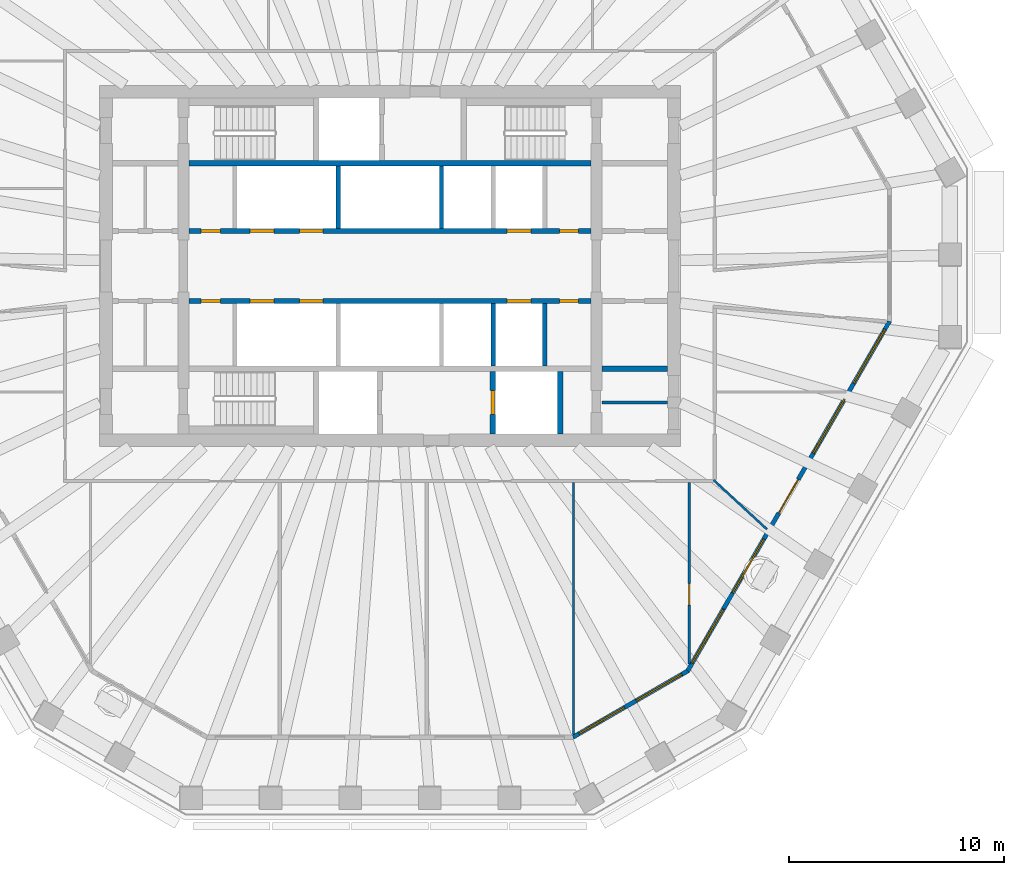
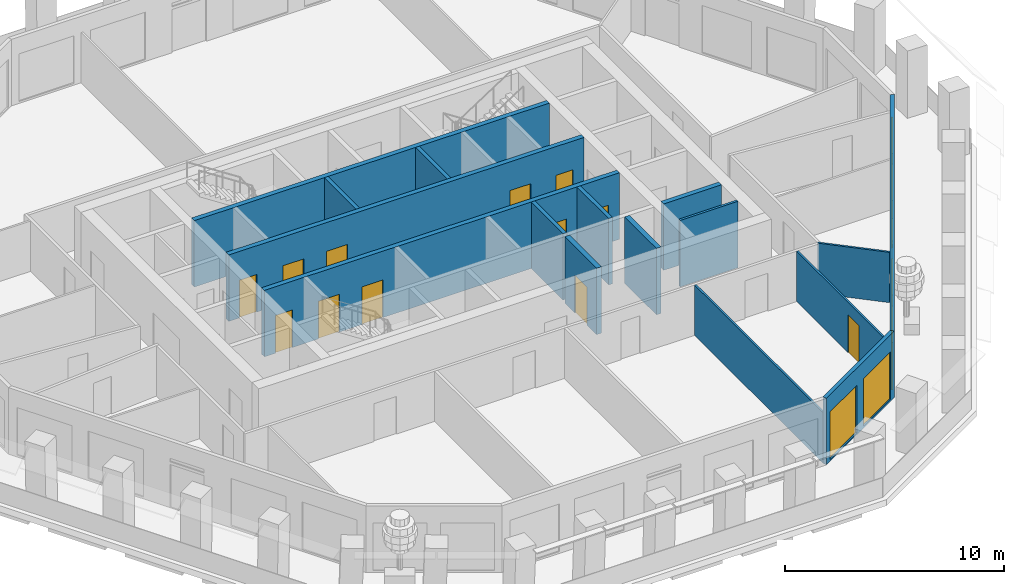
# One storey, part 5 of 12: 16 walls, 13 doors, 7 windows, 20 openings.
"""IFC4 building model written with IfcOpenShell, lengths in metres."""

from ifc_helpers import new_model, si_unit, direction, frame, frame_2d, origin, place, context, subcontext, project, spatial, polyline, rectangle, outline, extrude, material, layer, layer_set, type_object, element, fill, save


model = new_model("IFC4")

# Units and contexts
model_context = context("Model", 3, precision=1e-05, world=origin(), true_north=direction((0.0, 1.0)))
body_context = subcontext(model_context, "Body", "Model", "MODEL_VIEW")
ifc_project = project(units=[si_unit("LENGTHUNIT", "METRE"), si_unit("AREAUNIT", "SQUARE_METRE"), si_unit("VOLUMEUNIT", "CUBIC_METRE"), si_unit("PLANEANGLEUNIT", "RADIAN"), si_unit("MASSUNIT", "GRAM", prefix="KILO")], contexts=[model_context])

# Site, building, storey
site_placement = place(None, origin())
site = spatial("IfcSite", under=ifc_project, at=site_placement, CompositionType="ELEMENT")
building_placement = place(site_placement, origin())
building = spatial("IfcBuilding", under=site, at=building_placement, Name="Frailejon Research Tower", CompositionType="ELEMENT")
storey_placement = place(building_placement, frame((0.0, 0.0, 227.39990234375)))
storey = spatial("IfcBuildingStorey", under=building, at=storey_placement, Name="L49", CompositionType="ELEMENT", Elevation=227.39990234375)

# Walls
ifc_material_1 = material(Name="Plasterboard on steel studs", Category="steel")
ifc_layer_1 = layer(ifc_material_1, 0.125)
ifc_layer_set_1 = layer_set([ifc_layer_1], Name="Core partition 125")
wall_type_1 = type_object("IfcWallType", Name="Core partition 125", PredefinedType="PARTITIONING", material=ifc_layer_set_1)
wall_1_placement = place(storey_placement, frame((9.85009765625, -6.35009765625, 0.0), z_axis=(0.0, 0.0, 1.0), x_axis=(1.0, 0.0, 0.0)))
element("IfcWall", 1, at=wall_1_placement, inside=storey, type_object=wall_type_1, Name="Core partition", PredefinedType="PARTITIONING", context=body_context, shape_type="SweptSolid", body=[
    extrude(rectangle(XDim=3.0498046875, YDim=0.125, at=frame_2d((1.52490234375, 0.0))), origin(), (0.0, 0.0, 1.0), 3.7001953125),
])
ifc_material_2 = material(Name="Gypsum board and masonry partition", Category="masonry")
ifc_layer_2 = layer(ifc_material_2, 0.10009765625)
ifc_layer_set_2 = layer_set([ifc_layer_2], Name="Partition, gypsum on steel studs 100")
wall_type_2 = type_object("IfcWallType", Name="Partition, gypsum on steel studs 100", PredefinedType="PARTITIONING", material=ifc_layer_set_2)
wall_2_placement = place(storey_placement, frame((8.539306640625, -21.77197265625, 0.0), z_axis=(0.0, 0.0, 1.0), x_axis=(0.0, 1.0, 0.0)))
element("IfcWall", 2, at=wall_2_placement, inside=storey, type_object=wall_type_2, Name="T:IW:L49:021", PredefinedType="PARTITIONING", context=body_context, shape_type="SweptSolid", body=[
    extrude(rectangle(XDim=11.697021484375, YDim=0.10009765625, at=frame_2d((5.8486328125, 0.0))), origin(), (0.0, 0.0, 1.0), 2.800048828125),
])

# Wall, opening, door
wall_3_placement = place(storey_placement, frame((13.914306640625, -18.49951171875, 0.0), z_axis=(0.0, 0.0, 1.0), x_axis=(0.0, 1.0, 0.0)))
wall_3 = element("IfcWall", 3, at=wall_3_placement, inside=storey, type_object=wall_type_2, Name="T:IW:L49:022", PredefinedType="PARTITIONING", context=body_context, shape_type="SweptSolid", body=[
    extrude(rectangle(XDim=8.424560546875, YDim=0.10009765625, at=frame_2d((4.21240234375, 0.0))), origin(), (0.0, 0.0, 1.0), 2.800048828125),
])
opening_1_placement = place(wall_3_placement, frame((2.729736328125, 0.0, 0.0)))
opening_1 = element("IfcOpeningElement", 4, at=opening_1_placement, cuts=wall_3, Name="Opening D2003", PredefinedType="OPENING", context=body_context, shape_type="SweptSolid", body=[
    extrude(rectangle(XDim=1.0, YDim=2.10009765625, at=frame_2d((0.5, 1.050048828125))), frame((0.0, 0.06005859375, 0.0), z_axis=(0.0, -1.0, 0.0), x_axis=(1.0, 0.0, 0.0)), (0.0, 0.0, 1.0), 0.1201171875),
])
ifc_material_3 = material(Name="Timber door leaf", Category="wood")
door_type_1 = type_object("IfcDoorType", Name="Door single leaf, timber, steel frame 1000", OperationType="NOTDEFINED", PredefinedType="DOOR", material=ifc_material_3)
door_1_placement = place(opening_1_placement, origin())
door_1 = element("IfcDoor", 5, at=door_1_placement, inside=storey, type_object=door_type_1, Name="D2003", OperationType="SINGLE_SWING_LEFT", OverallHeight=2.10009765625, OverallWidth=1.0, PredefinedType="DOOR", context=body_context, shape_type="SweptSolid", body=[
    extrude(rectangle(XDim=1.0, YDim=2.10009765625, at=frame_2d((0.5, 1.050048828125))), frame((0.0, 0.02490234375, 0.0), z_axis=(0.0, -1.0, 0.0), x_axis=(1.0, 0.0, 0.0)), (0.0, 0.0, 1.0), 0.050048828125),
])
fill(opening_1, door_1)

# Walls
wall_4_placement = place(storey_placement, frame((15.044921875, -9.94921875, 0.0), z_axis=(0.0, 0.0, 1.0), x_axis=(0.7348283754, -0.6782530934, 0.0)))
element("IfcWall", 6, at=wall_4_placement, inside=storey, type_object=wall_type_2, Name="T:IW:L49:023", PredefinedType="PARTITIONING", context=body_context, shape_type="SweptSolid", body=[
    extrude(rectangle(XDim=3.37890625, YDim=0.10009765625, at=frame_2d((1.689453125, 0.0))), origin(), (0.0, 0.0, 1.0), 2.800048828125),
])
ifc_material_4 = material(Name="Concrete C60/75", Category="concrete")
ifc_layer_3 = layer(ifc_material_4, 0.199951171875)
ifc_layer_set_3 = layer_set([ifc_layer_3], Name="Shaft wall 200 C60/75")
wall_type_3 = type_object("IfcWallType", Name="Shaft wall 200 C60/75", PredefinedType="SOLIDWALL", material=ifc_layer_set_3)
for number, where, z_axis, x_axis, name in (
    (7, (-2.39990234375, 1.75, 0.0), (0.0, 0.0, 1.0), (0.0, 1.0, 0.0), "Shaft wall"),
    (8, (2.39990234375, 1.75, 0.0), (0.0, 0.0, 1.0), (0.0, 1.0, 0.0), "Shaft wall"),
    (9, (4.800048828125, -4.64990234375, 0.0), (0.0, 0.0, 1.0), (0.0, 1.0, 0.0), "Shaft wall"),
    (10, (7.199951171875, -4.64990234375, 0.0), (0.0, 0.0, 1.0), (0.0, 1.0, 0.0), "Shaft wall"),
):
    element("IfcWall", number, at=place(storey_placement, frame(where, z_axis=z_axis, x_axis=x_axis)), inside=storey, type_object=wall_type_3, Name=name, PredefinedType="SOLIDWALL", context=body_context, shape_type="SweptSolid", body=[
        extrude(rectangle(XDim=2.89990234375, YDim=0.199951171875, at=frame_2d((1.449951171875, 0.0))), origin(), (0.0, 0.0, 1.0), 3.7001953125),
    ])

# Wall, openings, doors
ifc_material_5 = material(Name="Concrete C60/75", Category="concrete")
ifc_layer_4 = layer(ifc_material_5, 0.25)
ifc_layer_set_4 = layer_set([ifc_layer_4], Name="Shaft wall 250 C60/75")
wall_type_4 = type_object("IfcWallType", Name="Shaft wall 250 C60/75", PredefinedType="SOLIDWALL", material=ifc_layer_set_4)
wall_5_placement = place(storey_placement, frame((-9.35009765625, 1.625, 0.0), z_axis=(0.0, 0.0, 1.0), x_axis=(1.0, 0.0, 0.0)))
wall_5 = element("IfcWall", 11, at=wall_5_placement, inside=storey, type_object=wall_type_4, Name="Shaft wall", PredefinedType="SOLIDWALL", context=body_context, shape_type="SweptSolid", body=[
    extrude(rectangle(XDim=18.7001953125, YDim=0.25, at=frame_2d((9.35009765625, 0.0))), origin(), (0.0, 0.0, 1.0), 3.7001953125),
])
opening_2_placement = place(wall_5_placement, frame((2.85009765625, 0.0, 0.0)))
opening_2 = element("IfcOpeningElement", 12, at=opening_2_placement, cuts=wall_5, Name="Opening LD", PredefinedType="OPENING", context=body_context, shape_type="SweptSolid", body=[
    extrude(rectangle(XDim=1.10009765625, YDim=2.10009765625, at=frame_2d((0.550048828125, 1.050048828125))), frame((0.0, 0.135009765625, 0.0), z_axis=(0.0, -1.0, 0.0), x_axis=(1.0, 0.0, 0.0)), (0.0, 0.0, 1.0), 0.27001953125),
])
opening_3_placement = place(wall_5_placement, frame((5.14990234375, 0.0, 0.0)))
opening_3 = element("IfcOpeningElement", 13, at=opening_3_placement, cuts=wall_5, Name="Opening LD", PredefinedType="OPENING", context=body_context, shape_type="SweptSolid", body=[
    extrude(rectangle(XDim=1.10009765625, YDim=2.10009765625, at=frame_2d((0.550048828125, 1.050048828125))), frame((0.0, 0.135009765625, 0.0), z_axis=(0.0, -1.0, 0.0), x_axis=(1.0, 0.0, 0.0)), (0.0, 0.0, 1.0), 0.27001953125),
])
opening_4_placement = place(wall_5_placement, frame((14.800048828125, 0.0, 0.0)))
opening_4 = element("IfcOpeningElement", 14, at=opening_4_placement, cuts=wall_5, Name="Opening LD", PredefinedType="OPENING", context=body_context, shape_type="SweptSolid", body=[
    extrude(rectangle(XDim=1.10009765625, YDim=2.10009765625, at=frame_2d((0.550048828125, 1.050048828125))), frame((0.0, 0.135009765625, 0.0), z_axis=(0.0, -1.0, 0.0), x_axis=(1.0, 0.0, 0.0)), (0.0, 0.0, 1.0), 0.27001953125),
])
opening_5_placement = place(wall_5_placement, frame((0.574951171875, 0.0, 0.0)))
opening_5 = element("IfcOpeningElement", 15, at=opening_5_placement, cuts=wall_5, Name="Opening D8", PredefinedType="OPENING", context=body_context, shape_type="SweptSolid", body=[
    extrude(rectangle(XDim=0.89990234375, YDim=2.10009765625, at=frame_2d((0.449951171875, 1.050048828125))), frame((0.0, 0.135009765625, 0.0), z_axis=(0.0, -1.0, 0.0), x_axis=(1.0, 0.0, 0.0)), (0.0, 0.0, 1.0), 0.27001953125),
])
opening_6_placement = place(wall_5_placement, frame((17.22509765625, 0.0, 0.0)))
opening_6 = element("IfcOpeningElement", 16, at=opening_6_placement, cuts=wall_5, Name="Opening D8", PredefinedType="OPENING", context=body_context, shape_type="SweptSolid", body=[
    extrude(rectangle(XDim=0.89990234375, YDim=2.10009765625, at=frame_2d((0.449951171875, 1.050048828125))), frame((0.0, 0.135009765625, 0.0), z_axis=(0.0, -1.0, 0.0), x_axis=(1.0, 0.0, 0.0)), (0.0, 0.0, 1.0), 0.27001953125),
])
ifc_material_6 = material(Name="Steel", Category="steel")
door_type_2 = type_object("IfcDoorType", Name="Core room door", OperationType="SINGLE_SWING_LEFT", PredefinedType="DOOR", material=ifc_material_6)
door_2_placement = place(opening_5_placement, origin())
door_2 = element("IfcDoor", 17, at=door_2_placement, inside=storey, type_object=door_type_2, Name="Room door", OperationType="SINGLE_SWING_RIGHT", OverallHeight=2.10009765625, OverallWidth=0.89990234375, PredefinedType="DOOR", context=body_context, shape_type="SweptSolid", body=[
    extrude(rectangle(XDim=0.89990234375, YDim=2.10009765625, at=frame_2d((0.449951171875, 1.050048828125))), frame((0.0, 0.074951171875, 0.0), z_axis=(0.0, -1.0, 0.0), x_axis=(1.0, 0.0, 0.0)), (0.0, 0.0, 1.0), 0.14990234375),
])
fill(opening_5, door_2)
door_3_placement = place(opening_6_placement, origin())
door_3 = element("IfcDoor", 18, at=door_3_placement, inside=storey, type_object=door_type_2, Name="Room door", OperationType="SINGLE_SWING_LEFT", OverallHeight=2.10009765625, OverallWidth=0.89990234375, PredefinedType="DOOR", context=body_context, shape_type="SweptSolid", body=[
    extrude(rectangle(XDim=0.89990234375, YDim=2.10009765625, at=frame_2d((0.449951171875, 1.050048828125))), frame((0.0, 0.074951171875, 0.0), z_axis=(0.0, -1.0, 0.0), x_axis=(1.0, 0.0, 0.0)), (0.0, 0.0, 1.0), 0.14990234375),
])
fill(opening_6, door_3)
ifc_material_7 = material(Name="Steel", Category="steel")
door_type_3 = type_object("IfcDoorType", Name="Lift landing door", OperationType="DOUBLE_DOOR_SLIDING", PredefinedType="DOOR", material=ifc_material_7)
door_4_placement = place(opening_2_placement, origin())
door_4 = element("IfcDoor", 19, at=door_4_placement, inside=storey, type_object=door_type_3, Name="Lift landing door", OperationType="DOUBLE_DOOR_SLIDING", OverallHeight=2.10009765625, OverallWidth=1.10009765625, PredefinedType="DOOR", context=body_context, shape_type="SweptSolid", body=[
    extrude(rectangle(XDim=1.10009765625, YDim=2.10009765625, at=frame_2d((0.550048828125, 1.050048828125))), frame((0.0, 0.074951171875, 0.0), z_axis=(0.0, -1.0, 0.0), x_axis=(1.0, 0.0, 0.0)), (0.0, 0.0, 1.0), 0.14990234375),
])
fill(opening_2, door_4)
door_5_placement = place(opening_3_placement, origin())
door_5 = element("IfcDoor", 20, at=door_5_placement, inside=storey, type_object=door_type_3, Name="Lift landing door", OperationType="DOUBLE_DOOR_SLIDING", OverallHeight=2.10009765625, OverallWidth=1.10009765625, PredefinedType="DOOR", context=body_context, shape_type="SweptSolid", body=[
    extrude(rectangle(XDim=1.10009765625, YDim=2.10009765625, at=frame_2d((0.550048828125, 1.050048828125))), frame((0.0, 0.074951171875, 0.0), z_axis=(0.0, -1.0, 0.0), x_axis=(1.0, 0.0, 0.0)), (0.0, 0.0, 1.0), 0.14990234375),
])
fill(opening_3, door_5)
door_6_placement = place(opening_4_placement, origin())
door_6 = element("IfcDoor", 21, at=door_6_placement, inside=storey, type_object=door_type_3, Name="Lift landing door", OperationType="DOUBLE_DOOR_SLIDING", OverallHeight=2.10009765625, OverallWidth=1.10009765625, PredefinedType="DOOR", context=body_context, shape_type="SweptSolid", body=[
    extrude(rectangle(XDim=1.10009765625, YDim=2.10009765625, at=frame_2d((0.550048828125, 1.050048828125))), frame((0.0, 0.074951171875, 0.0), z_axis=(0.0, -1.0, 0.0), x_axis=(1.0, 0.0, 0.0)), (0.0, 0.0, 1.0), 0.14990234375),
])
fill(opening_4, door_6)

# Wall
wall_6_placement = place(storey_placement, frame((-9.35009765625, 4.77490234375, 0.0), z_axis=(0.0, 0.0, 1.0), x_axis=(1.0, 0.0, 0.0)))
element("IfcWall", 22, at=wall_6_placement, inside=storey, type_object=wall_type_4, Name="Shaft wall", PredefinedType="SOLIDWALL", context=body_context, shape_type="SweptSolid", body=[
    extrude(rectangle(XDim=18.7001953125, YDim=0.25, at=frame_2d((9.35009765625, 0.0))), origin(), (0.0, 0.0, 1.0), 3.7001953125),
])

# Wall, openings, doors
wall_7_placement = place(storey_placement, frame((-9.35009765625, -1.625, 0.0), z_axis=(0.0, 0.0, 1.0), x_axis=(1.0, 0.0, 0.0)))
wall_7 = element("IfcWall", 23, at=wall_7_placement, inside=storey, type_object=wall_type_4, Name="Shaft wall", PredefinedType="SOLIDWALL", context=body_context, shape_type="SweptSolid", body=[
    extrude(rectangle(XDim=18.7001953125, YDim=0.25, at=frame_2d((9.35009765625, 0.0))), origin(), (0.0, 0.0, 1.0), 3.7001953125),
])
opening_7_placement = place(wall_7_placement, frame((2.85009765625, 0.0, 0.0)))
opening_7 = element("IfcOpeningElement", 24, at=opening_7_placement, cuts=wall_7, Name="Opening LD", PredefinedType="OPENING", context=body_context, shape_type="SweptSolid", body=[
    extrude(rectangle(XDim=1.10009765625, YDim=2.10009765625, at=frame_2d((0.550048828125, 1.050048828125))), frame((0.0, 0.135009765625, 0.0), z_axis=(0.0, -1.0, 0.0), x_axis=(1.0, 0.0, 0.0)), (0.0, 0.0, 1.0), 0.27001953125),
])
opening_8_placement = place(wall_7_placement, frame((5.14990234375, 0.0, 0.0)))
opening_8 = element("IfcOpeningElement", 25, at=opening_8_placement, cuts=wall_7, Name="Opening LD", PredefinedType="OPENING", context=body_context, shape_type="SweptSolid", body=[
    extrude(rectangle(XDim=1.10009765625, YDim=2.10009765625, at=frame_2d((0.550048828125, 1.050048828125))), frame((0.0, 0.135009765625, 0.0), z_axis=(0.0, -1.0, 0.0), x_axis=(1.0, 0.0, 0.0)), (0.0, 0.0, 1.0), 0.27001953125),
])
opening_9_placement = place(wall_7_placement, frame((14.800048828125, 0.0, 0.0)))
opening_9 = element("IfcOpeningElement", 26, at=opening_9_placement, cuts=wall_7, Name="Opening LD", PredefinedType="OPENING", context=body_context, shape_type="SweptSolid", body=[
    extrude(rectangle(XDim=1.10009765625, YDim=2.10009765625, at=frame_2d((0.550048828125, 1.050048828125))), frame((0.0, 0.135009765625, 0.0), z_axis=(0.0, -1.0, 0.0), x_axis=(1.0, 0.0, 0.0)), (0.0, 0.0, 1.0), 0.27001953125),
])
opening_10_placement = place(wall_7_placement, frame((0.574951171875, 0.0, 0.0)))
opening_10 = element("IfcOpeningElement", 27, at=opening_10_placement, cuts=wall_7, Name="Opening D8", PredefinedType="OPENING", context=body_context, shape_type="SweptSolid", body=[
    extrude(rectangle(XDim=0.89990234375, YDim=2.10009765625, at=frame_2d((0.449951171875, 1.050048828125))), frame((0.0, 0.135009765625, 0.0), z_axis=(0.0, -1.0, 0.0), x_axis=(1.0, 0.0, 0.0)), (0.0, 0.0, 1.0), 0.27001953125),
])
opening_11_placement = place(wall_7_placement, frame((17.22509765625, 0.0, 0.0)))
opening_11 = element("IfcOpeningElement", 28, at=opening_11_placement, cuts=wall_7, Name="Opening D8", PredefinedType="OPENING", context=body_context, shape_type="SweptSolid", body=[
    extrude(rectangle(XDim=0.89990234375, YDim=2.10009765625, at=frame_2d((0.449951171875, 1.050048828125))), frame((0.0, 0.135009765625, 0.0), z_axis=(0.0, -1.0, 0.0), x_axis=(1.0, 0.0, 0.0)), (0.0, 0.0, 1.0), 0.27001953125),
])
door_7_placement = place(opening_10_placement, origin())
door_7 = element("IfcDoor", 29, at=door_7_placement, inside=storey, type_object=door_type_2, Name="Room door", OperationType="SINGLE_SWING_LEFT", OverallHeight=2.10009765625, OverallWidth=0.89990234375, PredefinedType="DOOR", context=body_context, shape_type="SweptSolid", body=[
    extrude(rectangle(XDim=0.89990234375, YDim=2.10009765625, at=frame_2d((0.449951171875, 1.050048828125))), frame((0.0, 0.074951171875, 0.0), z_axis=(0.0, -1.0, 0.0), x_axis=(1.0, 0.0, 0.0)), (0.0, 0.0, 1.0), 0.14990234375),
])
fill(opening_10, door_7)
door_8_placement = place(opening_11_placement, origin())
door_8 = element("IfcDoor", 30, at=door_8_placement, inside=storey, type_object=door_type_2, Name="Room door", OperationType="SINGLE_SWING_RIGHT", OverallHeight=2.10009765625, OverallWidth=0.89990234375, PredefinedType="DOOR", context=body_context, shape_type="SweptSolid", body=[
    extrude(rectangle(XDim=0.89990234375, YDim=2.10009765625, at=frame_2d((0.449951171875, 1.050048828125))), frame((0.0, 0.074951171875, 0.0), z_axis=(0.0, -1.0, 0.0), x_axis=(1.0, 0.0, 0.0)), (0.0, 0.0, 1.0), 0.14990234375),
])
fill(opening_11, door_8)
door_9_placement = place(opening_7_placement, origin())
door_9 = element("IfcDoor", 31, at=door_9_placement, inside=storey, type_object=door_type_3, Name="Lift landing door", OperationType="DOUBLE_DOOR_SLIDING", OverallHeight=2.10009765625, OverallWidth=1.10009765625, PredefinedType="DOOR", context=body_context, shape_type="SweptSolid", body=[
    extrude(rectangle(XDim=1.10009765625, YDim=2.10009765625, at=frame_2d((0.550048828125, 1.050048828125))), frame((0.0, 0.074951171875, 0.0), z_axis=(0.0, -1.0, 0.0), x_axis=(1.0, 0.0, 0.0)), (0.0, 0.0, 1.0), 0.14990234375),
])
fill(opening_7, door_9)
door_10_placement = place(opening_8_placement, origin())
door_10 = element("IfcDoor", 32, at=door_10_placement, inside=storey, type_object=door_type_3, Name="Lift landing door", OperationType="DOUBLE_DOOR_SLIDING", OverallHeight=2.10009765625, OverallWidth=1.10009765625, PredefinedType="DOOR", context=body_context, shape_type="SweptSolid", body=[
    extrude(rectangle(XDim=1.10009765625, YDim=2.10009765625, at=frame_2d((0.550048828125, 1.050048828125))), frame((0.0, 0.074951171875, 0.0), z_axis=(0.0, -1.0, 0.0), x_axis=(1.0, 0.0, 0.0)), (0.0, 0.0, 1.0), 0.14990234375),
])
fill(opening_8, door_10)
door_11_placement = place(opening_9_placement, origin())
door_11 = element("IfcDoor", 33, at=door_11_placement, inside=storey, type_object=door_type_3, Name="Lift landing door", OperationType="DOUBLE_DOOR_SLIDING", OverallHeight=2.10009765625, OverallWidth=1.10009765625, PredefinedType="DOOR", context=body_context, shape_type="SweptSolid", body=[
    extrude(rectangle(XDim=1.10009765625, YDim=2.10009765625, at=frame_2d((0.550048828125, 1.050048828125))), frame((0.0, 0.074951171875, 0.0), z_axis=(0.0, -1.0, 0.0), x_axis=(1.0, 0.0, 0.0)), (0.0, 0.0, 1.0), 0.14990234375),
])
fill(opening_9, door_11)

# Wall
wall_8_placement = place(storey_placement, frame((9.85009765625, -4.77490234375, 0.0), z_axis=(0.0, 0.0, 1.0), x_axis=(1.0, 0.0, 0.0)))
element("IfcWall", 34, at=wall_8_placement, inside=storey, type_object=wall_type_4, Name="Shaft wall", PredefinedType="SOLIDWALL", context=body_context, shape_type="SweptSolid", body=[
    extrude(rectangle(XDim=3.0498046875, YDim=0.25, at=frame_2d((1.52490234375, 0.0))), origin(), (0.0, 0.0, 1.0), 3.7001953125),
])

# Wall, opening, door
wall_9_placement = place(storey_placement, frame((4.77490234375, -7.800048828125, 0.0), z_axis=(0.0, 0.0, 1.0), x_axis=(0.0, 1.0, 0.0)))
wall_9 = element("IfcWall", 35, at=wall_9_placement, inside=storey, type_object=wall_type_4, Name="Shaft wall", PredefinedType="SOLIDWALL", context=body_context, shape_type="SweptSolid", body=[
    extrude(rectangle(XDim=2.900146484375, YDim=0.25, at=frame_2d((1.4501953125, 0.0))), origin(), (0.0, 0.0, 1.0), 3.7001953125),
])
opening_12_placement = place(wall_9_placement, frame((0.89990234375, 0.0, 0.0)))
opening_12 = element("IfcOpeningElement", 36, at=opening_12_placement, cuts=wall_9, Name="Opening LD", PredefinedType="OPENING", context=body_context, shape_type="SweptSolid", body=[
    extrude(rectangle(XDim=1.10009765625, YDim=2.10009765625, at=frame_2d((0.550048828125, 1.050048828125))), frame((0.0, 0.135009765625, 0.0), z_axis=(0.0, -1.0, 0.0), x_axis=(1.0, 0.0, 0.0)), (0.0, 0.0, 1.0), 0.27001953125),
])
door_12_placement = place(opening_12_placement, origin())
door_12 = element("IfcDoor", 37, at=door_12_placement, inside=storey, type_object=door_type_3, Name="Lift landing door", OperationType="DOUBLE_DOOR_SLIDING", OverallHeight=2.10009765625, OverallWidth=1.10009765625, PredefinedType="DOOR", context=body_context, shape_type="SweptSolid", body=[
    extrude(rectangle(XDim=1.10009765625, YDim=2.10009765625, at=frame_2d((0.550048828125, 1.050048828125))), frame((0.0, 0.074951171875, 0.0), z_axis=(0.0, -1.0, 0.0), x_axis=(1.0, 0.0, 0.0)), (0.0, 0.0, 1.0), 0.14990234375),
])
fill(opening_12, door_12)

# Wall
wall_10_placement = place(storey_placement, frame((7.925048828125, -7.800048828125, 0.0), z_axis=(0.0, 0.0, 1.0), x_axis=(0.0, 1.0, 0.0)))
element("IfcWall", 38, at=wall_10_placement, inside=storey, type_object=wall_type_4, Name="Shaft wall", PredefinedType="SOLIDWALL", context=body_context, shape_type="SweptSolid", body=[
    extrude(rectangle(XDim=2.900146484375, YDim=0.25, at=frame_2d((1.4501953125, 0.0))), origin(), (0.0, 0.0, 1.0), 3.7001953125),
])

# Wall, openings, windows
ifc_material_8 = material(Name="Concrete C40/50 precast window wall panel", Category="concrete")
ifc_layer_5 = layer(ifc_material_8, 0.199951171875)
ifc_layer_set_5 = layer_set([ifc_layer_5], Name="Window wall 200")
wall_type_5 = type_object("IfcWallType", Name="Window wall 200", PredefinedType="SOLIDWALL", material=ifc_layer_set_5)
wall_11_placement = place(storey_placement, frame((8.5126953125, -21.90283203125, 0.0), z_axis=(0.0, 0.0, 1.0), x_axis=(0.866029647142, 0.499992650217, 0.0)))
wall_11 = element("IfcWall", 39, at=wall_11_placement, inside=storey, type_object=wall_type_5, Name="Exterior wall L49", PredefinedType="SOLIDWALL", context=body_context, shape_type="SweptSolid", body=[
    extrude(outline(polyline([(-0.02685546875, -0.10009765625), (1.007568359375, -0.10009765625), (2.0419921875, -0.10009765625), (3.076416015625, -0.10009765625), (4.11083984375, -0.10009765625), (5.145263671875, -0.10009765625), (6.1796875, -0.10009765625), (6.1259765625, 0.10009765625), (5.109375, 0.10009765625), (4.093017578125, 0.10009765625), (3.076416015625, 0.10009765625), (2.059814453125, 0.10009765625), (1.04345703125, 0.10009765625), (0.02685546875, 0.10009765625), (-0.02685546875, -0.10009765625)])), origin(), (0.0, 0.0, 1.0), 3.7001953125),
])
opening_13_placement = place(wall_11_placement, frame((0.313232421875, 0.0, 0.10009765625)))
opening_13 = element("IfcOpeningElement", 40, at=opening_13_placement, cuts=wall_11, Name="Opening W17", PredefinedType="OPENING", context=body_context, shape_type="SweptSolid", body=[
    extrude(rectangle(XDim=2.449951171875, YDim=2.64990234375, at=frame_2d((1.22509765625, 1.324951171875))), frame((0.0, 0.10986328125, 0.0), z_axis=(0.0, -1.0, 0.0), x_axis=(1.0, 0.0, 0.0)), (0.0, 0.0, 1.0), 0.219970703125),
])
opening_14_placement = place(wall_11_placement, frame((3.3896484375, 0.0, 0.10009765625)))
opening_14 = element("IfcOpeningElement", 41, at=opening_14_placement, cuts=wall_11, Name="Opening W17", PredefinedType="OPENING", context=body_context, shape_type="SweptSolid", body=[
    extrude(rectangle(XDim=2.449951171875, YDim=2.64990234375, at=frame_2d((1.22509765625, 1.324951171875))), frame((0.0, 0.10986328125, 0.0), z_axis=(0.0, -1.0, 0.0), x_axis=(1.0, 0.0, 0.0)), (0.0, 0.0, 1.0), 0.219970703125),
])
ifc_material_9 = material(Name="Aluminium framed double glazing", Category="aluminium")
window_type_1 = type_object("IfcWindowType", Name="Window 2450x2650", PartitioningType="SINGLE_PANEL", PredefinedType="WINDOW", material=ifc_material_9)
window_1_placement = place(opening_13_placement, origin())
window_1 = element("IfcWindow", 42, at=window_1_placement, inside=storey, type_object=window_type_1, Name="Window L49", OverallHeight=2.64990234375, OverallWidth=2.449951171875, PartitioningType="SINGLE_PANEL", PredefinedType="WINDOW", context=body_context, shape_type="SweptSolid", body=[
    extrude(rectangle(XDim=2.449951171875, YDim=2.64990234375, at=frame_2d((1.22509765625, 1.324951171875))), frame((0.0, 0.030029296875, 0.0), z_axis=(0.0, -1.0, 0.0), x_axis=(1.0, 0.0, 0.0)), (0.0, 0.0, 1.0), 0.06005859375),
])
fill(opening_13, window_1)
window_2_placement = place(opening_14_placement, origin())
window_2 = element("IfcWindow", 43, at=window_2_placement, inside=storey, type_object=window_type_1, Name="Window L49", OverallHeight=2.64990234375, OverallWidth=2.449951171875, PartitioningType="SINGLE_PANEL", PredefinedType="WINDOW", context=body_context, shape_type="SweptSolid", body=[
    extrude(rectangle(XDim=2.449951171875, YDim=2.64990234375, at=frame_2d((1.22509765625, 1.324951171875))), frame((0.0, 0.030029296875, 0.0), z_axis=(0.0, -1.0, 0.0), x_axis=(1.0, 0.0, 0.0)), (0.0, 0.0, 1.0), 0.06005859375),
])
fill(opening_14, window_2)

# Wall, openings, door, windows
wall_12_placement = place(storey_placement, frame((13.84130859375, -18.826416015625, 0.0), z_axis=(0.0, 0.0, 1.0), x_axis=(0.499986710104, 0.866033076574, 0.0)))
wall_12 = element("IfcWall", 44, at=wall_12_placement, inside=storey, type_object=wall_type_5, Name="Exterior wall L49", PredefinedType="SOLIDWALL", context=body_context, shape_type="SweptSolid", body=[
    extrude(outline(polyline([(-0.02685546875, -0.10009765625), (1.018798828125, -0.10009765625), (2.064453125, -0.10009765625), (3.10986328125, -0.10009765625), (4.155517578125, -0.10009765625), (5.201171875, -0.10009765625), (6.246826171875, -0.10009765625), (7.292236328125, -0.10009765625), (8.337890625, -0.10009765625), (9.383544921875, -0.10009765625), (10.42919921875, -0.10009765625), (11.474853515625, -0.10009765625), (12.520263671875, -0.10009765625), (13.56591796875, -0.10009765625), (14.611572265625, -0.10009765625), (15.6572265625, -0.10009765625), (16.70263671875, -0.10009765625), (17.748291015625, -0.10009765625), (18.7939453125, -0.10009765625), (18.740234375, 0.10009765625), (17.70068359375, 0.10009765625), (16.660888671875, 0.10009765625), (15.621337890625, 0.10009765625), (14.581787109375, 0.10009765625), (13.5419921875, 0.10009765625), (12.50244140625, 0.10009765625), (11.462890625, 0.10009765625), (10.423095703125, 0.10009765625), (9.383544921875, 0.10009765625), (8.343994140625, 0.10009765625), (7.30419921875, 0.10009765625), (6.2646484375, 0.10009765625), (5.22509765625, 0.10009765625), (4.185302734375, 0.10009765625), (3.145751953125, 0.10009765625), (2.106201171875, 0.10009765625), (1.06640625, 0.10009765625), (0.02685546875, 0.10009765625), (-0.02685546875, -0.10009765625)])), origin(), (0.0, 0.0, 1.0), 3.7001953125),
])
opening_15_placement = place(wall_12_placement, frame((0.4267578125, 0.0, 0.10009765625)))
opening_15 = element("IfcOpeningElement", 45, at=opening_15_placement, cuts=wall_12, Name="Opening W20", PredefinedType="OPENING", context=body_context, shape_type="SweptSolid", body=[
    extrude(rectangle(XDim=2.89990234375, YDim=2.64990234375, at=frame_2d((1.449951171875, 1.324951171875))), frame((0.0, 0.10986328125, 0.0), z_axis=(0.0, -1.0, 0.0), x_axis=(1.0, 0.0, 0.0)), (0.0, 0.0, 1.0), 0.219970703125),
])
opening_16_placement = place(wall_12_placement, frame((4.18017578125, 0.0, 0.10009765625)))
opening_16 = element("IfcOpeningElement", 46, at=opening_16_placement, cuts=wall_12, Name="Opening W20", PredefinedType="OPENING", context=body_context, shape_type="SweptSolid", body=[
    extrude(rectangle(XDim=2.89990234375, YDim=2.64990234375, at=frame_2d((1.449951171875, 1.324951171875))), frame((0.0, 0.10986328125, 0.0), z_axis=(0.0, -1.0, 0.0), x_axis=(1.0, 0.0, 0.0)), (0.0, 0.0, 1.0), 0.219970703125),
])
opening_17_placement = place(wall_12_placement, frame((8.4833984375, 0.0, 0.0)))
opening_17 = element("IfcOpeningElement", 47, at=opening_17_placement, cuts=wall_12, Name="Opening LG49-6", PredefinedType="OPENING", context=body_context, shape_type="SweptSolid", body=[
    extrude(rectangle(XDim=1.800048828125, YDim=2.39990234375, at=frame_2d((0.89990234375, 1.199951171875))), frame((0.0, 0.10986328125, 0.0), z_axis=(0.0, -1.0, 0.0), x_axis=(1.0, 0.0, 0.0)), (0.0, 0.0, 1.0), 0.219970703125),
])
opening_18_placement = place(wall_12_placement, frame((8.4833984375, 0.0, 2.550048828125)))
opening_18 = element("IfcOpeningElement", 48, at=opening_18_placement, cuts=wall_12, Name="Opening W19", PredefinedType="OPENING", context=body_context, shape_type="SweptSolid", body=[
    extrude(rectangle(XDim=1.800048828125, YDim=0.199951171875, at=frame_2d((0.89990234375, 0.10009765625))), frame((0.0, 0.10986328125, 0.0), z_axis=(0.0, -1.0, 0.0), x_axis=(1.0, 0.0, 0.0)), (0.0, 0.0, 1.0), 0.219970703125),
])
opening_19_placement = place(wall_12_placement, frame((11.68701171875, 0.0, 0.10009765625)))
opening_19 = element("IfcOpeningElement", 49, at=opening_19_placement, cuts=wall_12, Name="Opening W20", PredefinedType="OPENING", context=body_context, shape_type="SweptSolid", body=[
    extrude(rectangle(XDim=2.89990234375, YDim=2.64990234375, at=frame_2d((1.449951171875, 1.324951171875))), frame((0.0, 0.10986328125, 0.0), z_axis=(0.0, -1.0, 0.0), x_axis=(1.0, 0.0, 0.0)), (0.0, 0.0, 1.0), 0.219970703125),
])
opening_20_placement = place(wall_12_placement, frame((15.440185546875, 0.0, 0.10009765625)))
opening_20 = element("IfcOpeningElement", 50, at=opening_20_placement, cuts=wall_12, Name="Opening W20", PredefinedType="OPENING", context=body_context, shape_type="SweptSolid", body=[
    extrude(rectangle(XDim=2.89990234375, YDim=2.64990234375, at=frame_2d((1.449951171875, 1.324951171875))), frame((0.0, 0.10986328125, 0.0), z_axis=(0.0, -1.0, 0.0), x_axis=(1.0, 0.0, 0.0)), (0.0, 0.0, 1.0), 0.219970703125),
])
ifc_material_10 = material(Name="Aluminium framed glazed door leaf", Category="aluminium")
door_type_4 = type_object("IfcDoorType", Name="Loggia door 1800x2400", OperationType="DOUBLE_DOOR_SINGLE_SWING", PredefinedType="DOOR", material=ifc_material_10)
door_13_placement = place(opening_17_placement, origin())
door_13 = element("IfcDoor", 51, at=door_13_placement, inside=storey, type_object=door_type_4, Name="Door LG49-6", OperationType="DOUBLE_DOOR_SINGLE_SWING", OverallHeight=2.39990234375, OverallWidth=1.800048828125, PredefinedType="DOOR", context=body_context, shape_type="SweptSolid", body=[
    extrude(rectangle(XDim=1.800048828125, YDim=2.39990234375, at=frame_2d((0.89990234375, 1.199951171875))), frame((0.0, 0.02490234375, 0.0), z_axis=(0.0, -1.0, 0.0), x_axis=(1.0, 0.0, 0.0)), (0.0, 0.0, 1.0), 0.050048828125),
])
fill(opening_17, door_13)
ifc_material_11 = material(Name="Aluminium framed double glazing", Category="aluminium")
window_type_2 = type_object("IfcWindowType", Name="Window 1800x200", PartitioningType="SINGLE_PANEL", PredefinedType="WINDOW", material=ifc_material_11)
window_3_placement = place(opening_18_placement, origin())
window_3 = element("IfcWindow", 52, at=window_3_placement, inside=storey, type_object=window_type_2, Name="Window L49", OverallHeight=0.199951171875, OverallWidth=1.800048828125, PartitioningType="SINGLE_PANEL", PredefinedType="WINDOW", context=body_context, shape_type="SweptSolid", body=[
    extrude(rectangle(XDim=1.800048828125, YDim=0.199951171875, at=frame_2d((0.89990234375, 0.10009765625))), frame((0.0, 0.030029296875, 0.0), z_axis=(0.0, -1.0, 0.0), x_axis=(1.0, 0.0, 0.0)), (0.0, 0.0, 1.0), 0.06005859375),
])
fill(opening_18, window_3)
ifc_material_12 = material(Name="Aluminium framed double glazing", Category="aluminium")
window_type_3 = type_object("IfcWindowType", Name="Window 2900x2650", PartitioningType="SINGLE_PANEL", PredefinedType="WINDOW", material=ifc_material_12)
window_4_placement = place(opening_15_placement, origin())
window_4 = element("IfcWindow", 53, at=window_4_placement, inside=storey, type_object=window_type_3, Name="Window L49", OverallHeight=2.64990234375, OverallWidth=2.89990234375, PartitioningType="SINGLE_PANEL", PredefinedType="WINDOW", context=body_context, shape_type="SweptSolid", body=[
    extrude(rectangle(XDim=2.89990234375, YDim=2.64990234375, at=frame_2d((1.449951171875, 1.324951171875))), frame((0.0, 0.030029296875, 0.0), z_axis=(0.0, -1.0, 0.0), x_axis=(1.0, 0.0, 0.0)), (0.0, 0.0, 1.0), 0.06005859375),
])
fill(opening_15, window_4)
window_5_placement = place(opening_16_placement, origin())
window_5 = element("IfcWindow", 54, at=window_5_placement, inside=storey, type_object=window_type_3, Name="Window L49", OverallHeight=2.64990234375, OverallWidth=2.89990234375, PartitioningType="SINGLE_PANEL", PredefinedType="WINDOW", context=body_context, shape_type="SweptSolid", body=[
    extrude(rectangle(XDim=2.89990234375, YDim=2.64990234375, at=frame_2d((1.449951171875, 1.324951171875))), frame((0.0, 0.030029296875, 0.0), z_axis=(0.0, -1.0, 0.0), x_axis=(1.0, 0.0, 0.0)), (0.0, 0.0, 1.0), 0.06005859375),
])
fill(opening_16, window_5)
window_6_placement = place(opening_19_placement, origin())
window_6 = element("IfcWindow", 55, at=window_6_placement, inside=storey, type_object=window_type_3, Name="Window L49", OverallHeight=2.64990234375, OverallWidth=2.89990234375, PartitioningType="SINGLE_PANEL", PredefinedType="WINDOW", context=body_context, shape_type="SweptSolid", body=[
    extrude(rectangle(XDim=2.89990234375, YDim=2.64990234375, at=frame_2d((1.449951171875, 1.324951171875))), frame((0.0, 0.030029296875, 0.0), z_axis=(0.0, -1.0, 0.0), x_axis=(1.0, 0.0, 0.0)), (0.0, 0.0, 1.0), 0.06005859375),
])
fill(opening_19, window_6)
window_7_placement = place(opening_20_placement, origin())
window_7 = element("IfcWindow", 56, at=window_7_placement, inside=storey, type_object=window_type_3, Name="Window L49", OverallHeight=2.64990234375, OverallWidth=2.89990234375, PartitioningType="SINGLE_PANEL", PredefinedType="WINDOW", context=body_context, shape_type="SweptSolid", body=[
    extrude(rectangle(XDim=2.89990234375, YDim=2.64990234375, at=frame_2d((1.449951171875, 1.324951171875))), frame((0.0, 0.030029296875, 0.0), z_axis=(0.0, -1.0, 0.0), x_axis=(1.0, 0.0, 0.0)), (0.0, 0.0, 1.0), 0.06005859375),
])
fill(opening_20, window_7)

save(model, "model.ifc")
